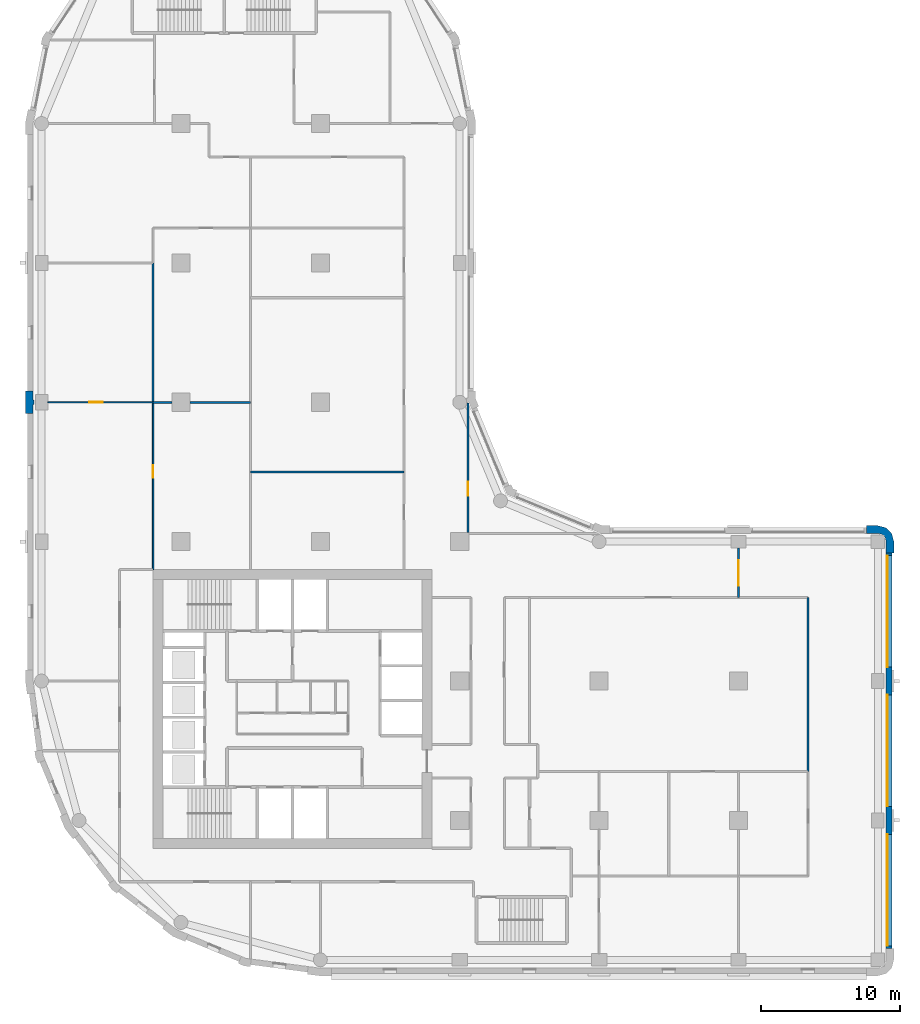
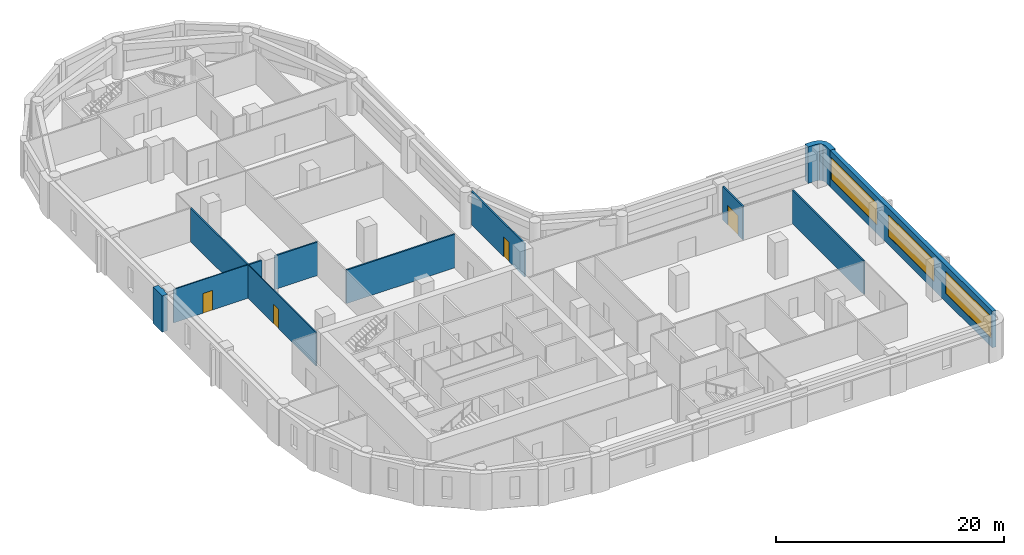
# One storey, part 5 of 10: 12 walls, 4 doors, 3 windows, 7 openings.
"""IFC4 building model written with IfcOpenShell, lengths in metres."""

from ifc_helpers import new_model, si_unit, direction, frame, frame_2d, origin, place, context, subcontext, project, spatial, polyline, rectangle, outline, extrude, material, layer, layer_set, type_object, element, fill, save


model = new_model("IFC4")

# Units and contexts
model_context = context("Model", 3, precision=1e-05, world=origin(), true_north=direction((0.0, 1.0)))
body_context = subcontext(model_context, "Body", "Model", "MODEL_VIEW")
ifc_project = project(units=[si_unit("LENGTHUNIT", "METRE"), si_unit("AREAUNIT", "SQUARE_METRE"), si_unit("VOLUMEUNIT", "CUBIC_METRE"), si_unit("PLANEANGLEUNIT", "RADIAN"), si_unit("MASSUNIT", "GRAM", prefix="KILO")], contexts=[model_context])

# Site, building, storey
site_placement = place(None, origin())
site = spatial("IfcSite", under=ifc_project, at=site_placement, CompositionType="ELEMENT")
building_placement = place(site_placement, origin())
building = spatial("IfcBuilding", under=site, at=building_placement, Name="Qaws Garden Tower", CompositionType="ELEMENT")
storey_placement = place(building_placement, frame((0.0, 0.0, 209.699951171875)))
storey = spatial("IfcBuildingStorey", under=building, at=storey_placement, Name="L51", CompositionType="ELEMENT", Elevation=209.699951171875)

# Wall
ifc_material_1 = material(Name="Clay facing brick masonry", Category="masonry")
ifc_layer_1 = layer(ifc_material_1, 0.550048828125)
ifc_layer_set_1 = layer_set([ifc_layer_1], Name="Clay facing brick masonry")
wall_type_1 = type_object("IfcWallType", Name="Brick corner pier 550 x 2400", PredefinedType="SOLIDWALL", material=ifc_layer_set_1)
placement = place(storey_placement, origin())
element("IfcWall", 1, at=placement, inside=storey, type_object=wall_type_1, Name="E-L51-pier-07", PredefinedType="SOLIDWALL", context=body_context, shape_type="SweptSolid", body=[
    extrude(outline(polyline([(61.0, 29.199951171875), (61.14990234375, 29.199951171875), (61.14990234375, 30.0), (60.995849609375, 30.574951171875), (60.574951171875, 30.995849609375), (60.0, 31.14990234375), (59.199951171875, 31.14990234375), (59.199951171875, 31.0), (59.199951171875, 30.60009765625), (60.0, 30.60009765625), (60.300048828125, 30.51953125), (60.51953125, 30.300048828125), (60.60009765625, 30.0), (60.60009765625, 29.199951171875), (61.0, 29.199951171875)])), origin(), (0.0, 0.0, 1.0), 3.900146484375),
])

# Wall, openings, windows
ifc_material_2 = material(Name="Clay facing brick masonry", Category="masonry")
ifc_layer_2 = layer(ifc_material_2, 0.39990234375)
ifc_layer_set_2 = layer_set([ifc_layer_2], Name="Clay facing brick masonry")
wall_type_2 = type_object("IfcWallType", Name="Brick infill wall 400", PredefinedType="SOLIDWALL", material=ifc_layer_set_2)
wall_2_placement = place(storey_placement, frame((60.800048828125, 0.800048828125, 0.0), z_axis=(0.0, 0.0, 1.0), x_axis=(0.0, 1.0, 0.0)))
wall_2 = element("IfcWall", 2, at=wall_2_placement, inside=storey, type_object=wall_type_2, Name="E-L51-infill-04", PredefinedType="SOLIDWALL", context=body_context, shape_type="SweptSolid", body=[
    extrude(rectangle(XDim=28.39990234375, YDim=0.39990234375, at=frame_2d((14.199951171875, 0.0))), origin(), (0.0, 0.0, 1.0), 3.900146484375),
])
opening_1_placement = place(wall_2_placement, frame((0.199951171875, 0.0, 0.89990234375)))
opening_1 = element("IfcOpeningElement", 3, at=opening_1_placement, cuts=wall_2, Name="Opening W01", PredefinedType="OPENING", context=body_context, shape_type="SweptSolid", body=[
    extrude(rectangle(XDim=8.0, YDim=2.35009765625, at=frame_2d((4.0, 1.175048828125))), frame((0.0, 0.2099609375, 0.0), z_axis=(0.0, -1.0, 0.0), x_axis=(1.0, 0.0, 0.0)), (0.0, 0.0, 1.0), 0.419921875),
])
opening_2_placement = place(wall_2_placement, frame((10.199951171875, 0.0, 0.89990234375)))
opening_2 = element("IfcOpeningElement", 4, at=opening_2_placement, cuts=wall_2, Name="Opening W01", PredefinedType="OPENING", context=body_context, shape_type="SweptSolid", body=[
    extrude(rectangle(XDim=8.0, YDim=2.35009765625, at=frame_2d((4.0, 1.175048828125))), frame((0.0, 0.2099609375, 0.0), z_axis=(0.0, -1.0, 0.0), x_axis=(1.0, 0.0, 0.0)), (0.0, 0.0, 1.0), 0.419921875),
])
opening_3_placement = place(wall_2_placement, frame((20.199951171875, 0.0, 0.89990234375)))
opening_3 = element("IfcOpeningElement", 5, at=opening_3_placement, cuts=wall_2, Name="Opening W01", PredefinedType="OPENING", context=body_context, shape_type="SweptSolid", body=[
    extrude(rectangle(XDim=8.0, YDim=2.35009765625, at=frame_2d((4.0, 1.175048828125))), frame((0.0, 0.2099609375, 0.0), z_axis=(0.0, -1.0, 0.0), x_axis=(1.0, 0.0, 0.0)), (0.0, 0.0, 1.0), 0.419921875),
])
ifc_material_3 = material(Name="Aluminium framed window, clear glazing", Category="aluminium")
window_type = type_object("IfcWindowType", Name="Ribbon window 8000 x 2350", PartitioningType="DOUBLE_PANEL_VERTICAL", PredefinedType="WINDOW", material=ifc_material_3)
window_1_placement = place(opening_1_placement, origin())
window_1 = element("IfcWindow", 6, at=window_1_placement, inside=storey, type_object=window_type, Name="E-L51-window-04-0", OverallHeight=2.35009765625, OverallWidth=8.0, PartitioningType="SINGLE_PANEL", PredefinedType="WINDOW", context=body_context, shape_type="SweptSolid", body=[
    extrude(rectangle(XDim=8.0, YDim=2.35009765625, at=frame_2d((4.0, 1.175048828125))), frame((0.0, 0.159912109375, 0.0), z_axis=(0.0, -1.0, 0.0), x_axis=(1.0, 0.0, 0.0)), (0.0, 0.0, 1.0), 0.06005859375),
])
fill(opening_1, window_1)
window_2_placement = place(opening_2_placement, origin())
window_2 = element("IfcWindow", 7, at=window_2_placement, inside=storey, type_object=window_type, Name="E-L51-window-05-0", OverallHeight=2.35009765625, OverallWidth=8.0, PartitioningType="SINGLE_PANEL", PredefinedType="WINDOW", context=body_context, shape_type="SweptSolid", body=[
    extrude(rectangle(XDim=8.0, YDim=2.35009765625, at=frame_2d((4.0, 1.175048828125))), frame((0.0, 0.159912109375, 0.0), z_axis=(0.0, -1.0, 0.0), x_axis=(1.0, 0.0, 0.0)), (0.0, 0.0, 1.0), 0.06005859375),
])
fill(opening_2, window_2)
window_3_placement = place(opening_3_placement, origin())
window_3 = element("IfcWindow", 8, at=window_3_placement, inside=storey, type_object=window_type, Name="E-L51-window-06-0", OverallHeight=2.35009765625, OverallWidth=8.0, PartitioningType="SINGLE_PANEL", PredefinedType="WINDOW", context=body_context, shape_type="SweptSolid", body=[
    extrude(rectangle(XDim=8.0, YDim=2.35009765625, at=frame_2d((4.0, 1.175048828125))), frame((0.0, 0.159912109375, 0.0), z_axis=(0.0, -1.0, 0.0), x_axis=(1.0, 0.0, 0.0)), (0.0, 0.0, 1.0), 0.06005859375),
])
fill(opening_3, window_3)

# Wall
ifc_material_4 = material(Name="Clay facing brick masonry", Category="masonry")
ifc_layer_3 = layer(ifc_material_4, 0.550048828125)
ifc_layer_set_3 = layer_set([ifc_layer_3], Name="Clay facing brick masonry")
wall_type_3 = type_object("IfcWallType", Name="Brick pier 550 x 1600", PredefinedType="SOLIDWALL", material=ifc_layer_set_3)
element("IfcWall", 9, at=placement, inside=storey, type_object=wall_type_3, Name="E-L51-pier-23", PredefinedType="SOLIDWALL", context=body_context, shape_type="SweptSolid", body=[
    extrude(outline(polyline([(-0.60009765625, 39.199951171875), (-0.60009765625, 39.85009765625), (-0.550048828125, 39.85009765625), (-0.550048828125, 40.14990234375), (-0.60009765625, 40.14990234375), (-0.60009765625, 40.800048828125), (-1.0, 40.800048828125), (-1.14990234375, 40.800048828125), (-1.14990234375, 40.0), (-1.14990234375, 39.199951171875), (-1.0, 39.199951171875), (-0.60009765625, 39.199951171875)])), origin(), (0.0, 0.0, 1.0), 3.900146484375),
])

# Wall, opening, door
ifc_material_5 = material(Name="Gypsum board partition")
ifc_layer_4 = layer(ifc_material_5, 0.10009765625)
ifc_layer_set_4 = layer_set([ifc_layer_4], Name="Gypsum board partition")
wall_type_4 = type_object("IfcWallType", Name="PARTITION 100", PredefinedType="PARTITIONING", material=ifc_layer_set_4)
wall_4_placement = place(storey_placement, frame((8.0, 28.0, 0.0), z_axis=(0.0, 0.0, 1.0), x_axis=(0.0, 1.0, 0.0)))
wall_4 = element("IfcWall", 10, at=wall_4_placement, inside=storey, type_object=wall_type_4, Name="O-L51-wall-001", PredefinedType="PARTITIONING", context=body_context, shape_type="SweptSolid", body=[
    extrude(rectangle(XDim=12.0, YDim=0.10009765625, at=frame_2d((6.0, 0.0))), origin(), (0.0, 0.0, 1.0), 3.580078125),
])
opening_4_placement = place(wall_4_placement, frame((6.60009765625, 0.0, 0.0)))
opening_4 = element("IfcOpeningElement", 11, at=opening_4_placement, cuts=wall_4, Name="Opening B726", PredefinedType="OPENING", context=body_context, shape_type="SweptSolid", body=[
    extrude(rectangle(XDim=0.89990234375, YDim=2.10009765625, at=frame_2d((0.449951171875, 1.050048828125))), frame((0.0, 0.06005859375, 0.0), z_axis=(0.0, -1.0, 0.0), x_axis=(1.0, 0.0, 0.0)), (0.0, 0.0, 1.0), 0.1201171875),
])
ifc_material_6 = material(Name="Timber door leaf", Category="wood")
door_type_1 = type_object("IfcDoorType", Name="OFFICE DOOR 900 X 2100", OperationType="SINGLE_SWING_LEFT", PredefinedType="DOOR", material=ifc_material_6)
door_1_placement = place(opening_4_placement, frame((0.89990234375, 0.0, 0.0), z_axis=(0.0, 0.0, 1.0), x_axis=(-1.0, 0.0, 0.0)))
door_1 = element("IfcDoor", 12, at=door_1_placement, inside=storey, type_object=door_type_1, Name="O-L51-door-026", OperationType="SINGLE_SWING_RIGHT", OverallHeight=2.10009765625, OverallWidth=0.89990234375, PredefinedType="DOOR", context=body_context, shape_type="SweptSolid", body=[
    extrude(rectangle(XDim=0.89990234375, YDim=2.10009765625, at=frame_2d((0.449951171875, 1.050048828125))), frame((0.0, 0.02490234375, 0.0), z_axis=(0.0, -1.0, 0.0), x_axis=(1.0, 0.0, 0.0)), (0.0, 0.0, 1.0), 0.050048828125),
])
fill(opening_4, door_1)

wall_5_placement = place(storey_placement, frame((0.449951171875, 40.0, 0.0), z_axis=(0.0, 0.0, 1.0), x_axis=(1.0, 0.0, 0.0)))
wall_5 = element("IfcWall", 13, at=wall_5_placement, inside=storey, type_object=wall_type_4, Name="O-L51-wall-008", PredefinedType="PARTITIONING", context=body_context, shape_type="SweptSolid", body=[
    extrude(rectangle(XDim=7.550048828125, YDim=0.10009765625, at=frame_2d((3.77490234375, 0.0))), origin(), (0.0, 0.0, 1.0), 3.580078125),
])
opening_5_placement = place(wall_5_placement, frame((2.97509765625, 0.0, 0.0)))
opening_5 = element("IfcOpeningElement", 14, at=opening_5_placement, cuts=wall_5, Name="Opening B728", PredefinedType="OPENING", context=body_context, shape_type="SweptSolid", body=[
    extrude(rectangle(XDim=0.949951171875, YDim=2.10009765625, at=frame_2d((0.47509765625, 1.050048828125))), frame((0.0, 0.06005859375, 0.0), z_axis=(0.0, -1.0, 0.0), x_axis=(1.0, 0.0, 0.0)), (0.0, 0.0, 1.0), 0.1201171875),
])
ifc_material_7 = material(Name="Timber and glass door leaf", Category="wood")
door_type_2 = type_object("IfcDoorType", Name="GLAZED DOOR 950 X 2100", OperationType="SINGLE_SWING_LEFT", PredefinedType="DOOR", material=ifc_material_7)
door_2_placement = place(opening_5_placement, origin())
door_2 = element("IfcDoor", 15, at=door_2_placement, inside=storey, type_object=door_type_2, Name="O-L51-door-028", OperationType="SINGLE_SWING_RIGHT", OverallHeight=2.10009765625, OverallWidth=0.949951171875, PredefinedType="DOOR", context=body_context, shape_type="SweptSolid", body=[
    extrude(rectangle(XDim=0.949951171875, YDim=2.10009765625, at=frame_2d((0.47509765625, 1.050048828125))), frame((0.0, 0.02490234375, 0.0), z_axis=(0.0, -1.0, 0.0), x_axis=(1.0, 0.0, 0.0)), (0.0, 0.0, 1.0), 0.050048828125),
])
fill(opening_5, door_2)

# Wall
ifc_material_8 = material(Name="Gypsum board partition")
ifc_layer_5 = layer(ifc_material_8, 0.14990234375)
ifc_layer_set_5 = layer_set([ifc_layer_5], Name="Gypsum board partition")
wall_type_5 = type_object("IfcWallType", Name="PARTITION 150 EI 60", PredefinedType="PARTITIONING", material=ifc_layer_set_5)
wall_6_placement = place(storey_placement, frame((8.0, 40.0, 0.0), z_axis=(0.0, 0.0, 1.0), x_axis=(0.0, 1.0, 0.0)))
element("IfcWall", 16, at=wall_6_placement, inside=storey, type_object=wall_type_5, Name="O-L51-wall-011", PredefinedType="PARTITIONING", context=body_context, shape_type="SweptSolid", body=[
    extrude(rectangle(XDim=10.0, YDim=0.14990234375, at=frame_2d((5.0, 0.0))), origin(), (0.0, 0.0, 1.0), 3.580078125),
])

# Wall, opening, door
wall_7_placement = place(storey_placement, frame((30.60009765625, 30.64990234375, 0.0), z_axis=(0.0, 0.0, 1.0), x_axis=(0.0, 1.0, 0.0)))
wall_7 = element("IfcWall", 17, at=wall_7_placement, inside=storey, type_object=wall_type_5, Name="O-L51-wall-020", PredefinedType="PARTITIONING", context=body_context, shape_type="SweptSolid", body=[
    extrude(rectangle(XDim=9.288330078125, YDim=0.14990234375, at=frame_2d((4.64404296875, 0.0))), origin(), (0.0, 0.0, 1.0), 3.580078125),
])
opening_6_placement = place(wall_7_placement, frame((2.64990234375, 0.0, 0.0)))
opening_6 = element("IfcOpeningElement", 18, at=opening_6_placement, cuts=wall_7, Name="Opening B715", PredefinedType="OPENING", context=body_context, shape_type="SweptSolid", body=[
    extrude(rectangle(XDim=1.0, YDim=2.10009765625, at=frame_2d((0.5, 1.050048828125))), frame((0.0, 0.0849609375, 0.0), z_axis=(0.0, -1.0, 0.0), x_axis=(1.0, 0.0, 0.0)), (0.0, 0.0, 1.0), 0.169921875),
])
ifc_material_9 = material(Name="Timber door leaf", Category="wood")
door_type_3 = type_object("IfcDoorType", Name="TENANCY ENTRANCE DOOR 1000 X 2100", OperationType="SINGLE_SWING_LEFT", PredefinedType="DOOR", material=ifc_material_9)
door_3_placement = place(opening_6_placement, frame((1.0, 0.0, 0.0), z_axis=(0.0, 0.0, 1.0), x_axis=(-1.0, 0.0, 0.0)))
door_3 = element("IfcDoor", 19, at=door_3_placement, inside=storey, type_object=door_type_3, Name="O-L51-door-015", OperationType="SINGLE_SWING_LEFT", OverallHeight=2.10009765625, OverallWidth=1.0, PredefinedType="DOOR", context=body_context, shape_type="SweptSolid", body=[
    extrude(rectangle(XDim=1.0, YDim=2.10009765625, at=frame_2d((0.5, 1.050048828125))), frame((0.0, 0.02490234375, 0.0), z_axis=(0.0, -1.0, 0.0), x_axis=(1.0, 0.0, 0.0)), (0.0, 0.0, 1.0), 0.050048828125),
])
fill(opening_6, door_3)

wall_8_placement = place(storey_placement, frame((50.0, 26.0, 0.0), z_axis=(0.0, 0.0, 1.0), x_axis=(0.0, 1.0, 0.0)))
wall_8 = element("IfcWall", 20, at=wall_8_placement, inside=storey, type_object=wall_type_5, Name="O-L51-wall-032", PredefinedType="PARTITIONING", context=body_context, shape_type="SweptSolid", body=[
    extrude(rectangle(XDim=3.550048828125, YDim=0.14990234375, at=frame_2d((1.77490234375, 0.0))), origin(), (0.0, 0.0, 1.0), 3.580078125),
])
opening_7_placement = place(wall_8_placement, frame((0.85009765625, 0.0, 0.0)))
opening_7 = element("IfcOpeningElement", 21, at=opening_7_placement, cuts=wall_8, Name="Opening B704", PredefinedType="OPENING", context=body_context, shape_type="SweptSolid", body=[
    extrude(rectangle(XDim=1.800048828125, YDim=2.10009765625, at=frame_2d((0.89990234375, 1.050048828125))), frame((0.0, 0.0849609375, 0.0), z_axis=(0.0, -1.0, 0.0), x_axis=(1.0, 0.0, 0.0)), (0.0, 0.0, 1.0), 0.169921875),
])
ifc_material_10 = material(Name="Timber door leaf", Category="wood")
door_type_4 = type_object("IfcDoorType", Name="DOUBLE DOOR 1800 X 2100", OperationType="DOUBLE_DOOR_SINGLE_SWING", PredefinedType="DOOR", material=ifc_material_10)
door_4_placement = place(opening_7_placement, frame((1.800048828125, 0.0, 0.0), z_axis=(0.0, 0.0, 1.0), x_axis=(-1.0, 0.0, 0.0)))
door_4 = element("IfcDoor", 22, at=door_4_placement, inside=storey, type_object=door_type_4, Name="O-L51-door-004", OperationType="DOUBLE_DOOR_SINGLE_SWING", OverallHeight=2.10009765625, OverallWidth=1.800048828125, PredefinedType="DOOR", context=body_context, shape_type="SweptSolid", body=[
    extrude(rectangle(XDim=1.800048828125, YDim=2.10009765625, at=frame_2d((0.89990234375, 1.050048828125))), frame((0.0, 0.02490234375, 0.0), z_axis=(0.0, -1.0, 0.0), x_axis=(1.0, 0.0, 0.0)), (0.0, 0.0, 1.0), 0.050048828125),
])
fill(opening_7, door_4)

# Walls
wall_9_placement = place(storey_placement, frame((55.0, 13.5, 0.0), z_axis=(0.0, 0.0, 1.0), x_axis=(0.0, 1.0, 0.0)))
element("IfcWall", 23, at=wall_9_placement, inside=storey, type_object=wall_type_5, Name="O-L51-wall-033", PredefinedType="PARTITIONING", context=body_context, shape_type="SweptSolid", body=[
    extrude(rectangle(XDim=12.5, YDim=0.14990234375, at=frame_2d((6.25, 0.0))), origin(), (0.0, 0.0, 1.0), 3.580078125),
])
wall_10_placement = place(storey_placement, frame((15.0, 35.0, 0.0), z_axis=(0.0, 0.0, 1.0), x_axis=(1.0, 0.0, 0.0)))
element("IfcWall", 24, at=wall_10_placement, inside=storey, type_object=wall_type_5, Name="O-L51-wall-050", PredefinedType="PARTITIONING", context=body_context, shape_type="SweptSolid", body=[
    extrude(rectangle(XDim=11.0, YDim=0.14990234375, at=frame_2d((5.5, 0.0))), origin(), (0.0, 0.0, 1.0), 3.580078125),
])
wall_11_placement = place(storey_placement, frame((8.0, 40.0, 0.0), z_axis=(0.0, 0.0, 1.0), x_axis=(1.0, 0.0, 0.0)))
element("IfcWall", 25, at=wall_11_placement, inside=storey, type_object=wall_type_5, Name="O-L51-wall-051", PredefinedType="PARTITIONING", context=body_context, shape_type="SweptSolid", body=[
    extrude(rectangle(XDim=1.35009765625, YDim=0.14990234375, at=frame_2d((0.675048828125, 0.0))), origin(), (0.0, 0.0, 1.0), 3.580078125),
])
wall_12_placement = place(storey_placement, frame((10.64990234375, 40.0, 0.0), z_axis=(0.0, 0.0, 1.0), x_axis=(1.0, 0.0, 0.0)))
element("IfcWall", 26, at=wall_12_placement, inside=storey, type_object=wall_type_5, Name="O-L51-wall-052", PredefinedType="PARTITIONING", context=body_context, shape_type="SweptSolid", body=[
    extrude(rectangle(XDim=4.35009765625, YDim=0.14990234375, at=frame_2d((2.175048828125, 0.0))), origin(), (0.0, 0.0, 1.0), 3.580078125),
])

save(model, "model.ifc")
